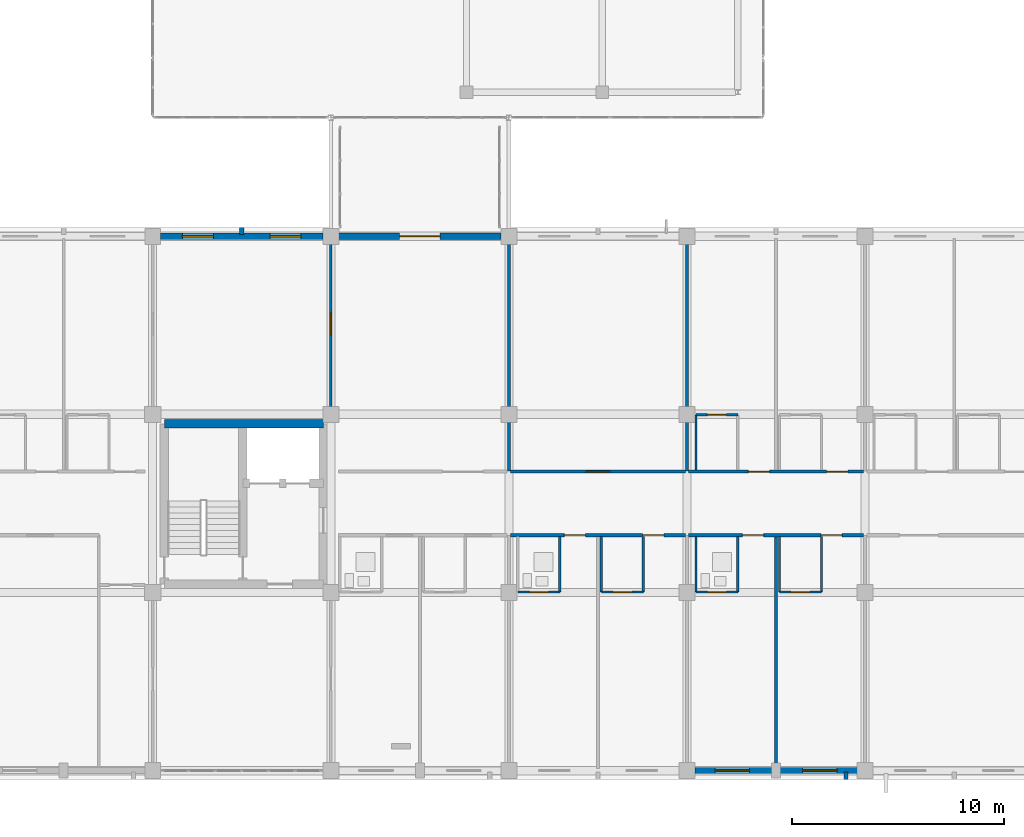
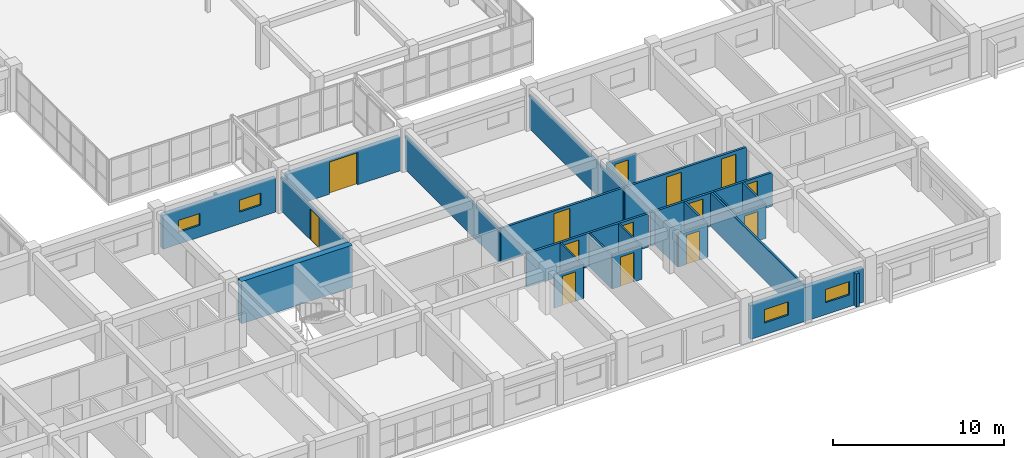
# One storey, part 170 of 200: 27 walls, 14 doors, 4 windows, 18 openings.
"""IFC4 building model written with IfcOpenShell, lengths in metres."""

from ifc_helpers import new_model, si_unit, direction, frame, frame_2d, origin, place, context, subcontext, project, spatial, rectangle, extrude, material, layer, layer_set, type_object, element, fill, save


model = new_model("IFC4")

# Units and contexts
model_context = context("Model", 3, precision=1e-05, world=origin(), true_north=direction((0.0, 1.0)))
body_context = subcontext(model_context, "Body", "Model", "MODEL_VIEW")
ifc_project = project(units=[si_unit("LENGTHUNIT", "METRE"), si_unit("AREAUNIT", "SQUARE_METRE"), si_unit("VOLUMEUNIT", "CUBIC_METRE"), si_unit("PLANEANGLEUNIT", "RADIAN"), si_unit("MASSUNIT", "GRAM", prefix="KILO")], contexts=[model_context])

# Site, building, storey
site_placement = place(None, origin())
site = spatial("IfcSite", under=ifc_project, at=site_placement, CompositionType="ELEMENT")
building_placement = place(site_placement, origin())
building = spatial("IfcBuilding", under=site, at=building_placement, Name="Trelvath General Hospital", CompositionType="ELEMENT")
storey_placement = place(building_placement, frame((0.0, 0.0, 4.800048828125)))
storey = spatial("IfcBuildingStorey", under=building, at=storey_placement, Name="L01", CompositionType="ELEMENT", Elevation=4.800048828125)

# Walls
ifc_material_1 = material(Name="Precast concrete C40/50", Category="concrete")
ifc_layer_1 = layer(ifc_material_1, 0.199951171875)
ifc_layer_set_1 = layer_set([ifc_layer_1], Name="Precast concrete C40/50")
wall_type_1 = type_object("IfcWallType", Name="BriseSoleilRib 200", PredefinedType="ELEMENTEDWALL", material=ifc_layer_set_1)
for number, where, z_axis, x_axis, name in (
    (1, (96.60009765625, 25.27490234375, 0.0), (0.0, 0.0, 1.0), (0.0, 1.0, 0.0), "Precast Concrete Brise-Soleil Rib Fin L01-115"),
    (2, (125.09375, -0.074951171875, 0.0), (0.0, 0.0, 1.0), (0.0, -1.0, 0.0), "Precast Concrete Brise-Soleil Rib Fin L01-123"),
):
    element("IfcWall", number, at=place(storey_placement, frame(where, z_axis=z_axis, x_axis=x_axis)), inside=storey, type_object=wall_type_1, Name=name, PredefinedType="ELEMENTEDWALL", context=body_context, shape_type="SweptSolid", body=[
        extrude(rectangle(XDim=0.340087890625, YDim=0.199951171875, at=frame_2d((0.169921875, 0.0))), origin(), (0.0, 0.0, 1.0), 2.39990234375),
    ])

# Wall, openings, doors
ifc_material_2 = material(Name="Gypsum acoustic steel-stud partition", Category="steel")
ifc_layer_2 = layer(ifc_material_2, 0.14990234375)
ifc_layer_set_2 = layer_set([ifc_layer_2], Name="Gypsum acoustic steel-stud partition")
wall_type_2 = type_object("IfcWallType", Name="ClinicalPartition 150", PredefinedType="PARTITIONING", material=ifc_layer_set_2)
wall_1_placement = place(storey_placement, frame((109.280029296875, 11.10009765625, 0.0), z_axis=(0.0, 0.0, 1.0), x_axis=(1.0, 0.0, 0.0)))
wall_1 = element("IfcWall", 3, at=wall_1_placement, inside=storey, type_object=wall_type_2, Name="Corridor Partition L01-469", PredefinedType="PARTITIONING", context=body_context, shape_type="SweptSolid", body=[
    extrude(rectangle(XDim=8.239990234375, YDim=0.14990234375, at=frame_2d((4.1201171875, 0.0))), origin(), (0.0, 0.0, 1.0), 2.39990234375),
])
opening_1_placement = place(wall_1_placement, frame((2.530029296875, 0.0, 0.0)))
opening_1 = element("IfcOpeningElement", 4, at=opening_1_placement, cuts=wall_1, Name="Opening D-1-0519", PredefinedType="OPENING", context=body_context, shape_type="SweptSolid", body=[
    extrude(rectangle(XDim=1.0, YDim=2.14990234375, at=frame_2d((0.5, 1.074951171875))), frame((0.0, 0.0849609375, 0.0), z_axis=(0.0, -1.0, 0.0), x_axis=(1.0, 0.0, 0.0)), (0.0, 0.0, 1.0), 0.169921875),
])
opening_2_placement = place(wall_1_placement, frame((6.22998046875, 0.0, 0.0)))
opening_2 = element("IfcOpeningElement", 5, at=opening_2_placement, cuts=wall_1, Name="Opening D-1-0520", PredefinedType="OPENING", context=body_context, shape_type="SweptSolid", body=[
    extrude(rectangle(XDim=1.0, YDim=2.14990234375, at=frame_2d((0.5, 1.074951171875))), frame((0.0, 0.0849609375, 0.0), z_axis=(0.0, -1.0, 0.0), x_axis=(1.0, 0.0, 0.0)), (0.0, 0.0, 1.0), 0.169921875),
])
ifc_material_3 = material(Name="Acoustic hospital timber leaf", Category="wood")
door_type_1 = type_object("IfcDoorType", Name="Door Consult 1000x2150", OperationType="NOTDEFINED", PredefinedType="DOOR", material=ifc_material_3)
door_1_placement = place(opening_1_placement, origin())
door_1 = element("IfcDoor", 6, at=door_1_placement, inside=storey, type_object=door_type_1, Name="Patient Room Door L01-519", OperationType="SINGLE_SWING_LEFT", OverallHeight=2.14990234375, OverallWidth=1.0, PredefinedType="DOOR", context=body_context, shape_type="SweptSolid", body=[
    extrude(rectangle(XDim=1.0, YDim=2.14990234375, at=frame_2d((0.5, 1.074951171875))), frame((0.0, 0.02490234375, 0.0), z_axis=(0.0, -1.0, 0.0), x_axis=(1.0, 0.0, 0.0)), (0.0, 0.0, 1.0), 0.050048828125),
])
fill(opening_1, door_1)
door_2_placement = place(opening_2_placement, origin())
door_2 = element("IfcDoor", 7, at=door_2_placement, inside=storey, type_object=door_type_1, Name="Patient Room Door L01-520", OperationType="SINGLE_SWING_RIGHT", OverallHeight=2.14990234375, OverallWidth=1.0, PredefinedType="DOOR", context=body_context, shape_type="SweptSolid", body=[
    extrude(rectangle(XDim=1.0, YDim=2.14990234375, at=frame_2d((0.5, 1.074951171875))), frame((0.0, 0.02490234375, 0.0), z_axis=(0.0, -1.0, 0.0), x_axis=(1.0, 0.0, 0.0)), (0.0, 0.0, 1.0), 0.050048828125),
])
fill(opening_2, door_2)

# Wall, opening, door
wall_2_placement = place(storey_placement, frame((117.52001953125, 14.10009765625, 0.0), z_axis=(0.0, 0.0, 1.0), x_axis=(-1.0, 0.0, 0.0)))
wall_2 = element("IfcWall", 8, at=wall_2_placement, inside=storey, type_object=wall_type_2, Name="Corridor Partition N L01-477", PredefinedType="PARTITIONING", context=body_context, shape_type="SweptSolid", body=[
    extrude(rectangle(XDim=8.239990234375, YDim=0.14990234375, at=frame_2d((4.1201171875, 0.0))), origin(), (0.0, 0.0, 1.0), 2.39990234375),
])
opening_3_placement = place(wall_2_placement, frame((3.570068359375, 0.0, 0.0)))
opening_3 = element("IfcOpeningElement", 9, at=opening_3_placement, cuts=wall_2, Name="Opening D-1-0523", PredefinedType="OPENING", context=body_context, shape_type="SweptSolid", body=[
    extrude(rectangle(XDim=1.10009765625, YDim=2.199951171875, at=frame_2d((0.550048828125, 1.10009765625))), frame((0.0, 0.0849609375, 0.0), z_axis=(0.0, -1.0, 0.0), x_axis=(1.0, 0.0, 0.0)), (0.0, 0.0, 1.0), 0.169921875),
])
ifc_material_4 = material(Name="Phenolic laboratory door")
door_type_2 = type_object("IfcDoorType", Name="Door Lab 1100x2200", OperationType="NOTDEFINED", PredefinedType="DOOR", material=ifc_material_4)
door_3_placement = place(opening_3_placement, origin())
door_3 = element("IfcDoor", 10, at=door_3_placement, inside=storey, type_object=door_type_2, Name="Clinical Room Door L01-523", OperationType="SINGLE_SWING_LEFT", OverallHeight=2.199951171875, OverallWidth=1.10009765625, PredefinedType="DOOR", context=body_context, shape_type="SweptSolid", body=[
    extrude(rectangle(XDim=1.10009765625, YDim=2.199951171875, at=frame_2d((0.550048828125, 1.10009765625))), frame((0.0, 0.02490234375, 0.0), z_axis=(0.0, -1.0, 0.0), x_axis=(1.0, 0.0, 0.0)), (0.0, 0.0, 1.0), 0.050048828125),
])
fill(opening_3, door_3)

# Wall, openings, doors
wall_3_placement = place(storey_placement, frame((117.679931640625, 11.10009765625, 0.0), z_axis=(0.0, 0.0, 1.0), x_axis=(1.0, 0.0, 0.0)))
wall_3 = element("IfcWall", 11, at=wall_3_placement, inside=storey, type_object=wall_type_2, Name="Corridor Partition L01-480", PredefinedType="PARTITIONING", context=body_context, shape_type="SweptSolid", body=[
    extrude(rectangle(XDim=8.239990234375, YDim=0.14990234375, at=frame_2d((4.1201171875, 0.0))), origin(), (0.0, 0.0, 1.0), 2.39990234375),
])
opening_4_placement = place(wall_3_placement, frame((2.530029296875, 0.0, 0.0)))
opening_4 = element("IfcOpeningElement", 12, at=opening_4_placement, cuts=wall_3, Name="Opening D-1-0524", PredefinedType="OPENING", context=body_context, shape_type="SweptSolid", body=[
    extrude(rectangle(XDim=1.0, YDim=2.14990234375, at=frame_2d((0.5, 1.074951171875))), frame((0.0, 0.0849609375, 0.0), z_axis=(0.0, -1.0, 0.0), x_axis=(1.0, 0.0, 0.0)), (0.0, 0.0, 1.0), 0.169921875),
])
opening_5_placement = place(wall_3_placement, frame((6.22998046875, 0.0, 0.0)))
opening_5 = element("IfcOpeningElement", 13, at=opening_5_placement, cuts=wall_3, Name="Opening D-1-0525", PredefinedType="OPENING", context=body_context, shape_type="SweptSolid", body=[
    extrude(rectangle(XDim=1.0, YDim=2.14990234375, at=frame_2d((0.5, 1.074951171875))), frame((0.0, 0.0849609375, 0.0), z_axis=(0.0, -1.0, 0.0), x_axis=(1.0, 0.0, 0.0)), (0.0, 0.0, 1.0), 0.169921875),
])
door_4_placement = place(opening_4_placement, origin())
door_4 = element("IfcDoor", 14, at=door_4_placement, inside=storey, type_object=door_type_1, Name="Patient Room Door L01-524", OperationType="SINGLE_SWING_RIGHT", OverallHeight=2.14990234375, OverallWidth=1.0, PredefinedType="DOOR", context=body_context, shape_type="SweptSolid", body=[
    extrude(rectangle(XDim=1.0, YDim=2.14990234375, at=frame_2d((0.5, 1.074951171875))), frame((0.0, 0.02490234375, 0.0), z_axis=(0.0, -1.0, 0.0), x_axis=(1.0, 0.0, 0.0)), (0.0, 0.0, 1.0), 0.050048828125),
])
fill(opening_4, door_4)
door_5_placement = place(opening_5_placement, origin())
door_5 = element("IfcDoor", 15, at=door_5_placement, inside=storey, type_object=door_type_1, Name="Patient Room Door L01-525", OperationType="SINGLE_SWING_LEFT", OverallHeight=2.14990234375, OverallWidth=1.0, PredefinedType="DOOR", context=body_context, shape_type="SweptSolid", body=[
    extrude(rectangle(XDim=1.0, YDim=2.14990234375, at=frame_2d((0.5, 1.074951171875))), frame((0.0, 0.02490234375, 0.0), z_axis=(0.0, -1.0, 0.0), x_axis=(1.0, 0.0, 0.0)), (0.0, 0.0, 1.0), 0.050048828125),
])
fill(opening_5, door_5)

wall_4_placement = place(storey_placement, frame((125.919921875, 14.10009765625, 0.0), z_axis=(0.0, 0.0, 1.0), x_axis=(-1.0, 0.0, 0.0)))
wall_4 = element("IfcWall", 16, at=wall_4_placement, inside=storey, type_object=wall_type_2, Name="Corridor Partition N L01-488", PredefinedType="PARTITIONING", context=body_context, shape_type="SweptSolid", body=[
    extrude(rectangle(XDim=8.239990234375, YDim=0.14990234375, at=frame_2d((4.1201171875, 0.0))), origin(), (0.0, 0.0, 1.0), 2.39990234375),
])
opening_6_placement = place(wall_4_placement, frame((0.72998046875, 0.0, 0.0)))
opening_6 = element("IfcOpeningElement", 17, at=opening_6_placement, cuts=wall_4, Name="Opening D-1-0528", PredefinedType="OPENING", context=body_context, shape_type="SweptSolid", body=[
    extrude(rectangle(XDim=1.0, YDim=2.14990234375, at=frame_2d((0.5, 1.074951171875))), frame((0.0, 0.0849609375, 0.0), z_axis=(0.0, -1.0, 0.0), x_axis=(1.0, 0.0, 0.0)), (0.0, 0.0, 1.0), 0.169921875),
])
opening_7_placement = place(wall_4_placement, frame((4.429931640625, 0.0, 0.0)))
opening_7 = element("IfcOpeningElement", 18, at=opening_7_placement, cuts=wall_4, Name="Opening D-1-0529", PredefinedType="OPENING", context=body_context, shape_type="SweptSolid", body=[
    extrude(rectangle(XDim=1.0, YDim=2.14990234375, at=frame_2d((0.5, 1.074951171875))), frame((0.0, 0.0849609375, 0.0), z_axis=(0.0, -1.0, 0.0), x_axis=(1.0, 0.0, 0.0)), (0.0, 0.0, 1.0), 0.169921875),
])
door_6_placement = place(opening_6_placement, origin())
door_6 = element("IfcDoor", 19, at=door_6_placement, inside=storey, type_object=door_type_1, Name="Patient Room Door N L01-528", OperationType="SINGLE_SWING_RIGHT", OverallHeight=2.14990234375, OverallWidth=1.0, PredefinedType="DOOR", context=body_context, shape_type="SweptSolid", body=[
    extrude(rectangle(XDim=1.0, YDim=2.14990234375, at=frame_2d((0.5, 1.074951171875))), frame((0.0, 0.02490234375, 0.0), z_axis=(0.0, -1.0, 0.0), x_axis=(1.0, 0.0, 0.0)), (0.0, 0.0, 1.0), 0.050048828125),
])
fill(opening_6, door_6)
door_7_placement = place(opening_7_placement, origin())
door_7 = element("IfcDoor", 20, at=door_7_placement, inside=storey, type_object=door_type_1, Name="Patient Room Door N L01-529", OperationType="SINGLE_SWING_RIGHT", OverallHeight=2.14990234375, OverallWidth=1.0, PredefinedType="DOOR", context=body_context, shape_type="SweptSolid", body=[
    extrude(rectangle(XDim=1.0, YDim=2.14990234375, at=frame_2d((0.5, 1.074951171875))), frame((0.0, 0.02490234375, 0.0), z_axis=(0.0, -1.0, 0.0), x_axis=(1.0, 0.0, 0.0)), (0.0, 0.0, 1.0), 0.050048828125),
])
fill(opening_7, door_7)

# Walls
ifc_material_5 = material(Name="Concrete C40/50", Category="concrete")
ifc_layer_3 = layer(ifc_material_5, 0.39990234375)
ifc_layer_set_3 = layer_set([ifc_layer_3], Name="Concrete C40/50")
wall_type_3 = type_object("IfcWallType", Name="CoreShearWall 400", PredefinedType="SHEAR", material=ifc_layer_set_3)
wall_5_placement = place(storey_placement, frame((92.949951171875, 16.35009765625, 0.0), z_axis=(0.0, 0.0, 1.0), x_axis=(1.0, 0.0, 0.0)))
element("IfcWall", 21, at=wall_5_placement, inside=storey, type_object=wall_type_3, Name="Core Shear Wall C5 N L01", PredefinedType="SHEAR", context=body_context, shape_type="SweptSolid", body=[
    extrude(rectangle(XDim=7.5, YDim=0.39990234375, at=frame_2d((3.75, 0.0))), origin(), (0.0, 0.0, 1.0), 3.02001953125),
])
ifc_material_6 = material(Name="Moisture-resistant tile partition")
ifc_layer_4 = layer(ifc_material_6, 0.110107421875)
ifc_layer_set_4 = layer_set([ifc_layer_4], Name="Moisture-resistant tile partition")
wall_type_4 = type_object("IfcWallType", Name="EnSuiteWetWall 110", PredefinedType="PARTITIONING", material=ifc_layer_set_4)
wall_6_placement = place(storey_placement, frame((111.60009765625, 8.419921875, 0.0), z_axis=(0.0, 0.0, 1.0), x_axis=(0.0, 1.0, 0.0)))
element("IfcWall", 22, at=wall_6_placement, inside=storey, type_object=wall_type_4, Name="En-Suite E Wall L01-472", PredefinedType="PARTITIONING", context=body_context, shape_type="SweptSolid", body=[
    extrude(rectangle(XDim=2.610107421875, YDim=0.110107421875, at=frame_2d((1.30517578125, 0.0))), origin(), (0.0, 0.0, 1.0), 2.39990234375),
])

# Wall, opening, door
wall_7_placement = place(storey_placement, frame((109.6201171875, 8.419921875, 0.0), z_axis=(0.0, 0.0, 1.0), x_axis=(1.0, 0.0, 0.0)))
wall_7 = element("IfcWall", 23, at=wall_7_placement, inside=storey, type_object=wall_type_4, Name="En-Suite Bathroom Partition L01-473", PredefinedType="PARTITIONING", context=body_context, shape_type="SweptSolid", body=[
    extrude(rectangle(XDim=1.97998046875, YDim=0.110107421875, at=frame_2d((0.989990234375, 0.0))), origin(), (0.0, 0.0, 1.0), 2.39990234375),
])
opening_8_placement = place(wall_7_placement, frame((0.5400390625, 0.0, 0.0)))
opening_8 = element("IfcOpeningElement", 24, at=opening_8_placement, cuts=wall_7, Name="Opening D-1-0521", PredefinedType="OPENING", context=body_context, shape_type="SweptSolid", body=[
    extrude(rectangle(XDim=0.89990234375, YDim=2.10009765625, at=frame_2d((0.449951171875, 1.050048828125))), frame((0.0, 0.06494140625, 0.0), z_axis=(0.0, -1.0, 0.0), x_axis=(1.0, 0.0, 0.0)), (0.0, 0.0, 1.0), 0.130126953125),
])
ifc_material_7 = material(Name="Moisture-sealed timber leaf", Category="wood")
door_type_3 = type_object("IfcDoorType", Name="Door EnSuite 900x2100", OperationType="NOTDEFINED", PredefinedType="DOOR", material=ifc_material_7)
door_8_placement = place(opening_8_placement, origin())
door_8 = element("IfcDoor", 25, at=door_8_placement, inside=storey, type_object=door_type_3, Name="En-Suite Bathroom Door L01-521", OperationType="SINGLE_SWING_LEFT", OverallHeight=2.10009765625, OverallWidth=0.89990234375, PredefinedType="DOOR", context=body_context, shape_type="SweptSolid", body=[
    extrude(rectangle(XDim=0.89990234375, YDim=2.10009765625, at=frame_2d((0.449951171875, 1.050048828125))), frame((0.0, 0.02490234375, 0.0), z_axis=(0.0, -1.0, 0.0), x_axis=(1.0, 0.0, 0.0)), (0.0, 0.0, 1.0), 0.050048828125),
])
fill(opening_8, door_8)

# Walls
for number, where, z_axis, x_axis, name in (
    (26, (113.56005859375, 8.419921875, 0.0), (0.0, 0.0, 1.0), (0.0, 1.0, 0.0), "En-Suite W Wall L01-474"),
    (27, (115.5400390625, 8.419921875, 0.0), (0.0, 0.0, 1.0), (0.0, 1.0, 0.0), "En-Suite E Wall L01-475"),
):
    element("IfcWall", number, at=place(storey_placement, frame(where, z_axis=z_axis, x_axis=x_axis)), inside=storey, type_object=wall_type_4, Name=name, PredefinedType="PARTITIONING", context=body_context, shape_type="SweptSolid", body=[
        extrude(rectangle(XDim=2.610107421875, YDim=0.110107421875, at=frame_2d((1.30517578125, 0.0))), origin(), (0.0, 0.0, 1.0), 2.39990234375),
    ])

# Wall, opening, door
wall_8_placement = place(storey_placement, frame((113.56005859375, 8.419921875, 0.0), z_axis=(0.0, 0.0, 1.0), x_axis=(1.0, 0.0, 0.0)))
wall_8 = element("IfcWall", 28, at=wall_8_placement, inside=storey, type_object=wall_type_4, Name="En-Suite Bathroom Partition L01-476", PredefinedType="PARTITIONING", context=body_context, shape_type="SweptSolid", body=[
    extrude(rectangle(XDim=1.97998046875, YDim=0.110107421875, at=frame_2d((0.989990234375, 0.0))), origin(), (0.0, 0.0, 1.0), 2.39990234375),
])
opening_9_placement = place(wall_8_placement, frame((0.5400390625, 0.0, 0.0)))
opening_9 = element("IfcOpeningElement", 29, at=opening_9_placement, cuts=wall_8, Name="Opening D-1-0522", PredefinedType="OPENING", context=body_context, shape_type="SweptSolid", body=[
    extrude(rectangle(XDim=0.89990234375, YDim=2.10009765625, at=frame_2d((0.449951171875, 1.050048828125))), frame((0.0, 0.06494140625, 0.0), z_axis=(0.0, -1.0, 0.0), x_axis=(1.0, 0.0, 0.0)), (0.0, 0.0, 1.0), 0.130126953125),
])
door_9_placement = place(opening_9_placement, origin())
door_9 = element("IfcDoor", 30, at=door_9_placement, inside=storey, type_object=door_type_3, Name="En-Suite Bathroom Door L01-522", OperationType="SINGLE_SWING_RIGHT", OverallHeight=2.10009765625, OverallWidth=0.89990234375, PredefinedType="DOOR", context=body_context, shape_type="SweptSolid", body=[
    extrude(rectangle(XDim=0.89990234375, YDim=2.10009765625, at=frame_2d((0.449951171875, 1.050048828125))), frame((0.0, 0.02490234375, 0.0), z_axis=(0.0, -1.0, 0.0), x_axis=(1.0, 0.0, 0.0)), (0.0, 0.0, 1.0), 0.050048828125),
])
fill(opening_9, door_9)

# Walls
for number, where, z_axis, x_axis, name in (
    (31, (118.02001953125, 8.419921875, 0.0), (0.0, 0.0, 1.0), (0.0, 1.0, 0.0), "En-Suite W Wall L01-482"),
    (32, (120.0, 8.419921875, 0.0), (0.0, 0.0, 1.0), (0.0, 1.0, 0.0), "En-Suite E Wall L01-483"),
):
    element("IfcWall", number, at=place(storey_placement, frame(where, z_axis=z_axis, x_axis=x_axis)), inside=storey, type_object=wall_type_4, Name=name, PredefinedType="PARTITIONING", context=body_context, shape_type="SweptSolid", body=[
        extrude(rectangle(XDim=2.610107421875, YDim=0.110107421875, at=frame_2d((1.30517578125, 0.0))), origin(), (0.0, 0.0, 1.0), 2.39990234375),
    ])

# Wall, opening, door
wall_9_placement = place(storey_placement, frame((118.02001953125, 8.419921875, 0.0), z_axis=(0.0, 0.0, 1.0), x_axis=(1.0, 0.0, 0.0)))
wall_9 = element("IfcWall", 33, at=wall_9_placement, inside=storey, type_object=wall_type_4, Name="En-Suite Bathroom Partition L01-484", PredefinedType="PARTITIONING", context=body_context, shape_type="SweptSolid", body=[
    extrude(rectangle(XDim=1.97998046875, YDim=0.110107421875, at=frame_2d((0.989990234375, 0.0))), origin(), (0.0, 0.0, 1.0), 2.39990234375),
])
opening_10_placement = place(wall_9_placement, frame((0.5400390625, 0.0, 0.0)))
opening_10 = element("IfcOpeningElement", 34, at=opening_10_placement, cuts=wall_9, Name="Opening D-1-0526", PredefinedType="OPENING", context=body_context, shape_type="SweptSolid", body=[
    extrude(rectangle(XDim=0.89990234375, YDim=2.10009765625, at=frame_2d((0.449951171875, 1.050048828125))), frame((0.0, 0.06494140625, 0.0), z_axis=(0.0, -1.0, 0.0), x_axis=(1.0, 0.0, 0.0)), (0.0, 0.0, 1.0), 0.130126953125),
])
door_10_placement = place(opening_10_placement, origin())
door_10 = element("IfcDoor", 35, at=door_10_placement, inside=storey, type_object=door_type_3, Name="En-Suite Bathroom Door L01-526", OperationType="SINGLE_SWING_RIGHT", OverallHeight=2.10009765625, OverallWidth=0.89990234375, PredefinedType="DOOR", context=body_context, shape_type="SweptSolid", body=[
    extrude(rectangle(XDim=0.89990234375, YDim=2.10009765625, at=frame_2d((0.449951171875, 1.050048828125))), frame((0.0, 0.02490234375, 0.0), z_axis=(0.0, -1.0, 0.0), x_axis=(1.0, 0.0, 0.0)), (0.0, 0.0, 1.0), 0.050048828125),
])
fill(opening_10, door_10)

# Walls
for number, where, z_axis, x_axis, name in (
    (36, (121.9599609375, 8.419921875, 0.0), (0.0, 0.0, 1.0), (0.0, 1.0, 0.0), "En-Suite W Wall L01-485"),
    (37, (123.93994140625, 8.419921875, 0.0), (0.0, 0.0, 1.0), (0.0, 1.0, 0.0), "En-Suite E Wall L01-486"),
):
    element("IfcWall", number, at=place(storey_placement, frame(where, z_axis=z_axis, x_axis=x_axis)), inside=storey, type_object=wall_type_4, Name=name, PredefinedType="PARTITIONING", context=body_context, shape_type="SweptSolid", body=[
        extrude(rectangle(XDim=2.610107421875, YDim=0.110107421875, at=frame_2d((1.30517578125, 0.0))), origin(), (0.0, 0.0, 1.0), 2.39990234375),
    ])

# Wall, opening, door
wall_10_placement = place(storey_placement, frame((121.9599609375, 8.419921875, 0.0), z_axis=(0.0, 0.0, 1.0), x_axis=(1.0, 0.0, 0.0)))
wall_10 = element("IfcWall", 38, at=wall_10_placement, inside=storey, type_object=wall_type_4, Name="En-Suite Bathroom Partition L01-487", PredefinedType="PARTITIONING", context=body_context, shape_type="SweptSolid", body=[
    extrude(rectangle(XDim=1.97998046875, YDim=0.110107421875, at=frame_2d((0.989990234375, 0.0))), origin(), (0.0, 0.0, 1.0), 2.39990234375),
])
opening_11_placement = place(wall_10_placement, frame((0.5400390625, 0.0, 0.0)))
opening_11 = element("IfcOpeningElement", 39, at=opening_11_placement, cuts=wall_10, Name="Opening D-1-0527", PredefinedType="OPENING", context=body_context, shape_type="SweptSolid", body=[
    extrude(rectangle(XDim=0.89990234375, YDim=2.10009765625, at=frame_2d((0.449951171875, 1.050048828125))), frame((0.0, 0.06494140625, 0.0), z_axis=(0.0, -1.0, 0.0), x_axis=(1.0, 0.0, 0.0)), (0.0, 0.0, 1.0), 0.130126953125),
])
door_11_placement = place(opening_11_placement, origin())
door_11 = element("IfcDoor", 40, at=door_11_placement, inside=storey, type_object=door_type_3, Name="En-Suite Bathroom Door L01-527", OperationType="SINGLE_SWING_LEFT", OverallHeight=2.10009765625, OverallWidth=0.89990234375, PredefinedType="DOOR", context=body_context, shape_type="SweptSolid", body=[
    extrude(rectangle(XDim=0.89990234375, YDim=2.10009765625, at=frame_2d((0.449951171875, 1.050048828125))), frame((0.0, 0.02490234375, 0.0), z_axis=(0.0, -1.0, 0.0), x_axis=(1.0, 0.0, 0.0)), (0.0, 0.0, 1.0), 0.050048828125),
])
fill(opening_11, door_11)

# Wall
wall_11_placement = place(storey_placement, frame((118.02001953125, 14.169921875, 0.0), z_axis=(0.0, 0.0, 1.0), x_axis=(0.0, 1.0, 0.0)))
element("IfcWall", 41, at=wall_11_placement, inside=storey, type_object=wall_type_4, Name="En-Suite W Wall N L01-490", PredefinedType="PARTITIONING", context=body_context, shape_type="SweptSolid", body=[
    extrude(rectangle(XDim=2.610107421875, YDim=0.110107421875, at=frame_2d((1.30517578125, 0.0))), origin(), (0.0, 0.0, 1.0), 2.39990234375),
])

# Wall, opening, door
wall_12_placement = place(storey_placement, frame((118.02001953125, 16.780029296875, 0.0), z_axis=(0.0, 0.0, 1.0), x_axis=(1.0, 0.0, 0.0)))
wall_12 = element("IfcWall", 42, at=wall_12_placement, inside=storey, type_object=wall_type_4, Name="En-Suite Bathroom N Partition L01-492", PredefinedType="PARTITIONING", context=body_context, shape_type="SweptSolid", body=[
    extrude(rectangle(XDim=1.97998046875, YDim=0.110107421875, at=frame_2d((0.989990234375, 0.0))), origin(), (0.0, 0.0, 1.0), 2.39990234375),
])
opening_12_placement = place(wall_12_placement, frame((0.5400390625, 0.0, 0.0)))
opening_12 = element("IfcOpeningElement", 43, at=opening_12_placement, cuts=wall_12, Name="Opening D-1-0530", PredefinedType="OPENING", context=body_context, shape_type="SweptSolid", body=[
    extrude(rectangle(XDim=0.89990234375, YDim=2.10009765625, at=frame_2d((0.449951171875, 1.050048828125))), frame((0.0, 0.06494140625, 0.0), z_axis=(0.0, -1.0, 0.0), x_axis=(1.0, 0.0, 0.0)), (0.0, 0.0, 1.0), 0.130126953125),
])
door_12_placement = place(opening_12_placement, origin())
door_12 = element("IfcDoor", 44, at=door_12_placement, inside=storey, type_object=door_type_3, Name="En-Suite Bathroom N Door L01-530", OperationType="SINGLE_SWING_LEFT", OverallHeight=2.10009765625, OverallWidth=0.89990234375, PredefinedType="DOOR", context=body_context, shape_type="SweptSolid", body=[
    extrude(rectangle(XDim=0.89990234375, YDim=2.10009765625, at=frame_2d((0.449951171875, 1.050048828125))), frame((0.0, 0.02490234375, 0.0), z_axis=(0.0, -1.0, 0.0), x_axis=(1.0, 0.0, 0.0)), (0.0, 0.0, 1.0), 0.050048828125),
])
fill(opening_12, door_12)

# Wall, openings, windows
ifc_material_8 = material(Name="Concrete C35/45", Category="concrete")
ifc_layer_5 = layer(ifc_material_8, 0.2900390625)
ifc_layer_set_5 = layer_set([ifc_layer_5], Name="Concrete C35/45")
wall_type_5 = type_object("IfcWallType", Name="ExtBushHammeredWall 290", PredefinedType="SOLIDWALL", material=ifc_layer_set_5)
wall_13_placement = place(storey_placement, frame((92.77001953125, 25.199951171875, 0.0), z_axis=(0.0, 0.0, 1.0), x_axis=(1.0, 0.0, 0.0)))
wall_13 = element("IfcWall", 45, at=wall_13_placement, inside=storey, type_object=wall_type_5, Name="Exterior Concrete Wall L01-170", PredefinedType="SOLIDWALL", context=body_context, shape_type="SweptSolid", body=[
    extrude(rectangle(XDim=7.659912109375, YDim=0.2900390625, at=frame_2d((3.830078125, 0.0))), origin(), (0.0, 0.0, 1.0), 2.419921875),
])
opening_13_placement = place(wall_13_placement, frame((1.03173828125, 0.0, 0.85009765625)))
opening_13 = element("IfcOpeningElement", 46, at=opening_13_placement, cuts=wall_13, Name="Opening WN-1-245", PredefinedType="OPENING", context=body_context, shape_type="SweptSolid", body=[
    extrude(rectangle(XDim=1.4599609375, YDim=0.85009765625, at=frame_2d((0.72998046875, 0.425048828125))), frame((0.0, 0.155029296875, 0.0), z_axis=(0.0, -1.0, 0.0), x_axis=(1.0, 0.0, 0.0)), (0.0, 0.0, 1.0), 0.31005859375),
])
opening_14_placement = place(wall_13_placement, frame((5.168212890625, 0.0, 0.85009765625)))
opening_14 = element("IfcOpeningElement", 47, at=opening_14_placement, cuts=wall_13, Name="Opening WN-1-246", PredefinedType="OPENING", context=body_context, shape_type="SweptSolid", body=[
    extrude(rectangle(XDim=1.4599609375, YDim=0.85009765625, at=frame_2d((0.72998046875, 0.425048828125))), frame((0.0, 0.155029296875, 0.0), z_axis=(0.0, -1.0, 0.0), x_axis=(1.0, 0.0, 0.0)), (0.0, 0.0, 1.0), 0.31005859375),
])
ifc_material_9 = material(Name="Low-E laminated glass", Category="glass")
window_type_1 = type_object("IfcWindowType", Name="Window ImagingClere 1460x850", PartitioningType="DOUBLE_PANEL_VERTICAL", PredefinedType="WINDOW", material=ifc_material_9)
window_1_placement = place(opening_13_placement, origin())
window_1 = element("IfcWindow", 48, at=window_1_placement, inside=storey, type_object=window_type_1, Name="Solar Reveal Window L01-245", OverallHeight=0.85009765625, OverallWidth=1.4599609375, PartitioningType="SINGLE_PANEL", PredefinedType="WINDOW", context=body_context, shape_type="SweptSolid", body=[
    extrude(rectangle(XDim=1.4599609375, YDim=0.85009765625, at=frame_2d((0.72998046875, 0.425048828125))), frame((0.0, 0.030029296875, 0.0), z_axis=(0.0, -1.0, 0.0), x_axis=(1.0, 0.0, 0.0)), (0.0, 0.0, 1.0), 0.06005859375),
])
fill(opening_13, window_1)
window_2_placement = place(opening_14_placement, origin())
window_2 = element("IfcWindow", 49, at=window_2_placement, inside=storey, type_object=window_type_1, Name="Solar Reveal Window L01-246", OverallHeight=0.85009765625, OverallWidth=1.4599609375, PartitioningType="SINGLE_PANEL", PredefinedType="WINDOW", context=body_context, shape_type="SweptSolid", body=[
    extrude(rectangle(XDim=1.4599609375, YDim=0.85009765625, at=frame_2d((0.72998046875, 0.425048828125))), frame((0.0, 0.030029296875, 0.0), z_axis=(0.0, -1.0, 0.0), x_axis=(1.0, 0.0, 0.0)), (0.0, 0.0, 1.0), 0.06005859375),
])
fill(opening_14, window_2)

# Wall, opening, door
wall_14_placement = place(storey_placement, frame((101.169921875, 25.199951171875, 0.0), z_axis=(0.0, 0.0, 1.0), x_axis=(1.0, 0.0, 0.0)))
wall_14 = element("IfcWall", 50, at=wall_14_placement, inside=storey, type_object=wall_type_5, Name="Bridge Portal Wall BRG-S-E L01", PredefinedType="SOLIDWALL", context=body_context, shape_type="SweptSolid", body=[
    extrude(rectangle(XDim=7.66015625, YDim=0.2900390625, at=frame_2d((3.830078125, 0.0))), origin(), (0.0, 0.0, 1.0), 2.419921875),
])
opening_15_placement = place(wall_14_placement, frame((2.8798828125, 0.0, 0.0)))
opening_15 = element("IfcOpeningElement", 51, at=opening_15_placement, cuts=wall_14, Name="Opening BP-1-040", PredefinedType="OPENING", context=body_context, shape_type="SweptSolid", body=[
    extrude(rectangle(XDim=1.89990234375, YDim=2.300048828125, at=frame_2d((0.949951171875, 1.14990234375))), frame((0.0, 0.155029296875, 0.0), z_axis=(0.0, -1.0, 0.0), x_axis=(1.0, 0.0, 0.0)), (0.0, 0.0, 1.0), 0.31005859375),
])
ifc_material_10 = material(Name="Thermally broken glazed aluminium pair", Category="aluminium")
door_type_4 = type_object("IfcDoorType", Name="Door BridgeEntry 1900x2400", OperationType="DOUBLE_SWING_LEFT", PredefinedType="DOOR", material=ifc_material_10)
door_13_placement = place(opening_15_placement, origin())
door_13 = element("IfcDoor", 52, at=door_13_placement, inside=storey, type_object=door_type_4, Name="Glazed Bridge Portal Door BRG-S-E L01", OperationType="DOUBLE_SWING_LEFT", OverallHeight=2.300048828125, OverallWidth=1.89990234375, PredefinedType="DOOR", context=body_context, shape_type="SweptSolid", body=[
    extrude(rectangle(XDim=1.89990234375, YDim=2.300048828125, at=frame_2d((0.949951171875, 1.14990234375))), frame((0.0, 0.02490234375, 0.0), z_axis=(0.0, -1.0, 0.0), x_axis=(1.0, 0.0, 0.0)), (0.0, 0.0, 1.0), 0.050048828125),
])
fill(opening_15, door_13)

# Wall, openings, windows
wall_15_placement = place(storey_placement, frame((125.6298828125, 0.0, 0.0), z_axis=(0.0, 0.0, 1.0), x_axis=(-1.0, 0.0, 0.0)))
wall_15 = element("IfcWall", 53, at=wall_15_placement, inside=storey, type_object=wall_type_5, Name="Exterior Concrete Wall L01-180", PredefinedType="SOLIDWALL", context=body_context, shape_type="SweptSolid", body=[
    extrude(rectangle(XDim=7.659912109375, YDim=0.2900390625, at=frame_2d((3.830078125, 0.0))), origin(), (0.0, 0.0, 1.0), 2.419921875),
])
opening_16_placement = place(wall_15_placement, frame((0.951904296875, 0.0, 0.85009765625)))
opening_16 = element("IfcOpeningElement", 54, at=opening_16_placement, cuts=wall_15, Name="Opening WN-1-261", PredefinedType="OPENING", context=body_context, shape_type="SweptSolid", body=[
    extrude(rectangle(XDim=1.6201171875, YDim=0.949951171875, at=frame_2d((0.81005859375, 0.47509765625))), frame((0.0, 0.155029296875, 0.0), z_axis=(0.0, -1.0, 0.0), x_axis=(1.0, 0.0, 0.0)), (0.0, 0.0, 1.0), 0.31005859375),
])
opening_17_placement = place(wall_15_placement, frame((5.088134765625, 0.0, 0.85009765625)))
opening_17 = element("IfcOpeningElement", 55, at=opening_17_placement, cuts=wall_15, Name="Opening WN-1-262", PredefinedType="OPENING", context=body_context, shape_type="SweptSolid", body=[
    extrude(rectangle(XDim=1.6201171875, YDim=0.949951171875, at=frame_2d((0.81005859375, 0.47509765625))), frame((0.0, 0.155029296875, 0.0), z_axis=(0.0, -1.0, 0.0), x_axis=(1.0, 0.0, 0.0)), (0.0, 0.0, 1.0), 0.31005859375),
])
ifc_material_11 = material(Name="Low-E laminated glass", Category="glass")
window_type_2 = type_object("IfcWindowType", Name="Window EmergencyClere 1620x950", PartitioningType="DOUBLE_PANEL_VERTICAL", PredefinedType="WINDOW", material=ifc_material_11)
window_3_placement = place(opening_16_placement, origin())
window_3 = element("IfcWindow", 56, at=window_3_placement, inside=storey, type_object=window_type_2, Name="Solar Reveal Window L01-261", OverallHeight=0.949951171875, OverallWidth=1.6201171875, PartitioningType="SINGLE_PANEL", PredefinedType="WINDOW", context=body_context, shape_type="SweptSolid", body=[
    extrude(rectangle(XDim=1.6201171875, YDim=0.949951171875, at=frame_2d((0.81005859375, 0.47509765625))), frame((0.0, 0.030029296875, 0.0), z_axis=(0.0, -1.0, 0.0), x_axis=(1.0, 0.0, 0.0)), (0.0, 0.0, 1.0), 0.06005859375),
])
fill(opening_16, window_3)
window_4_placement = place(opening_17_placement, origin())
window_4 = element("IfcWindow", 57, at=window_4_placement, inside=storey, type_object=window_type_2, Name="Solar Reveal Window L01-262", OverallHeight=0.949951171875, OverallWidth=1.6201171875, PartitioningType="SINGLE_PANEL", PredefinedType="WINDOW", context=body_context, shape_type="SweptSolid", body=[
    extrude(rectangle(XDim=1.6201171875, YDim=0.949951171875, at=frame_2d((0.81005859375, 0.47509765625))), frame((0.0, 0.030029296875, 0.0), z_axis=(0.0, -1.0, 0.0), x_axis=(1.0, 0.0, 0.0)), (0.0, 0.0, 1.0), 0.06005859375),
])
fill(opening_17, window_4)

# Wall, opening, door
ifc_material_12 = material(Name="Gypsum acoustic steel-stud partition", Category="steel")
ifc_layer_6 = layer(ifc_material_12, 0.1298828125)
ifc_layer_set_6 = layer_set([ifc_layer_6], Name="Gypsum acoustic steel-stud partition")
wall_type_6 = type_object("IfcWallType", Name="WardPartition 130", PredefinedType="PARTITIONING", material=ifc_layer_set_6)
wall_16_placement = place(storey_placement, frame((100.800048828125, 17.14990234375, 0.0), z_axis=(0.0, 0.0, 1.0), x_axis=(0.0, 1.0, 0.0)))
wall_16 = element("IfcWall", 58, at=wall_16_placement, inside=storey, type_object=wall_type_6, Name="Inter-Bay Ward Partition N L01-456", PredefinedType="PARTITIONING", context=body_context, shape_type="SweptSolid", body=[
    extrude(rectangle(XDim=7.91015625, YDim=0.1298828125, at=frame_2d((3.955078125, 0.0))), origin(), (0.0, 0.0, 1.0), 2.39990234375),
])
opening_18_placement = place(wall_16_placement, frame((3.39990234375, 0.0, 0.0)))
opening_18 = element("IfcOpeningElement", 59, at=opening_18_placement, cuts=wall_16, Name="Opening D-1-0513", PredefinedType="OPENING", context=body_context, shape_type="SweptSolid", body=[
    extrude(rectangle(XDim=1.050048828125, YDim=2.199951171875, at=frame_2d((0.52490234375, 1.10009765625))), frame((0.0, 0.074951171875, 0.0), z_axis=(0.0, -1.0, 0.0), x_axis=(1.0, 0.0, 0.0)), (0.0, 0.0, 1.0), 0.14990234375),
])
ifc_material_13 = material(Name="Acoustic hospital timber leaf", Category="wood")
door_type_5 = type_object("IfcDoorType", Name="Door Consult 1050x2200", OperationType="NOTDEFINED", PredefinedType="DOOR", material=ifc_material_13)
door_14_placement = place(opening_18_placement, origin())
door_14 = element("IfcDoor", 60, at=door_14_placement, inside=storey, type_object=door_type_5, Name="Consultation Connecting Door L01-513", OperationType="SINGLE_SWING_RIGHT", OverallHeight=2.199951171875, OverallWidth=1.050048828125, PredefinedType="DOOR", context=body_context, shape_type="SweptSolid", body=[
    extrude(rectangle(XDim=1.050048828125, YDim=2.199951171875, at=frame_2d((0.52490234375, 1.10009765625))), frame((0.0, 0.02490234375, 0.0), z_axis=(0.0, -1.0, 0.0), x_axis=(1.0, 0.0, 0.0)), (0.0, 0.0, 1.0), 0.050048828125),
])
fill(opening_18, door_14)

# Walls
for number, where, z_axis, x_axis, name in (
    (61, (109.199951171875, 14.1201171875, 0.0), (0.0, 0.0, 1.0), (0.0, 1.0, 0.0), "Inter-Bay Ward Partition N L01-468"),
    (62, (117.60009765625, 14.1201171875, 0.0), (0.0, 0.0, 1.0), (0.0, 1.0, 0.0), "Inter-Bay Ward Partition N L01-479"),
):
    element("IfcWall", number, at=place(storey_placement, frame(where, z_axis=z_axis, x_axis=x_axis)), inside=storey, type_object=wall_type_6, Name=name, PredefinedType="PARTITIONING", context=body_context, shape_type="SweptSolid", body=[
        extrude(rectangle(XDim=10.93994140625, YDim=0.1298828125, at=frame_2d((5.469970703125, 0.0))), origin(), (0.0, 0.0, 1.0), 2.39990234375),
    ])
wall_17_placement = place(storey_placement, frame((121.800048828125, 0.10009765625, 0.0), z_axis=(0.0, 0.0, 1.0), x_axis=(0.0, 1.0, 0.0)))
element("IfcWall", 63, at=wall_17_placement, inside=storey, type_object=wall_type_6, Name="Room Dividing Partition S L01-481", PredefinedType="PARTITIONING", context=body_context, shape_type="SweptSolid", body=[
    extrude(rectangle(XDim=10.929931640625, YDim=0.1298828125, at=frame_2d((5.46484375, 0.0))), origin(), (0.0, 0.0, 1.0), 2.39990234375),
])

save(model, "model.ifc")
